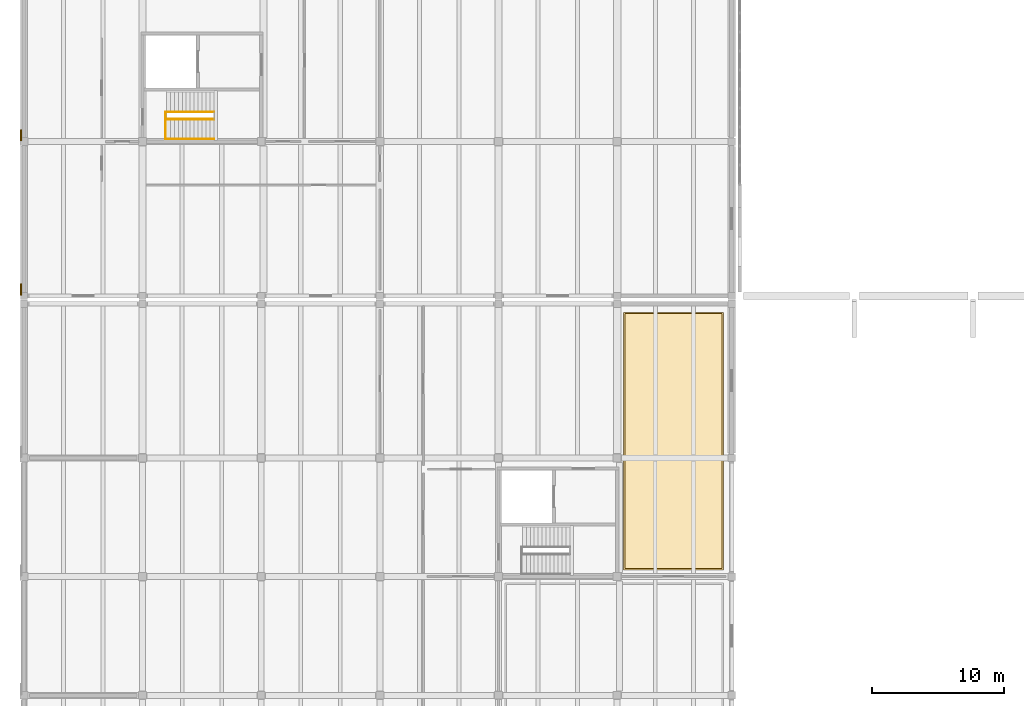
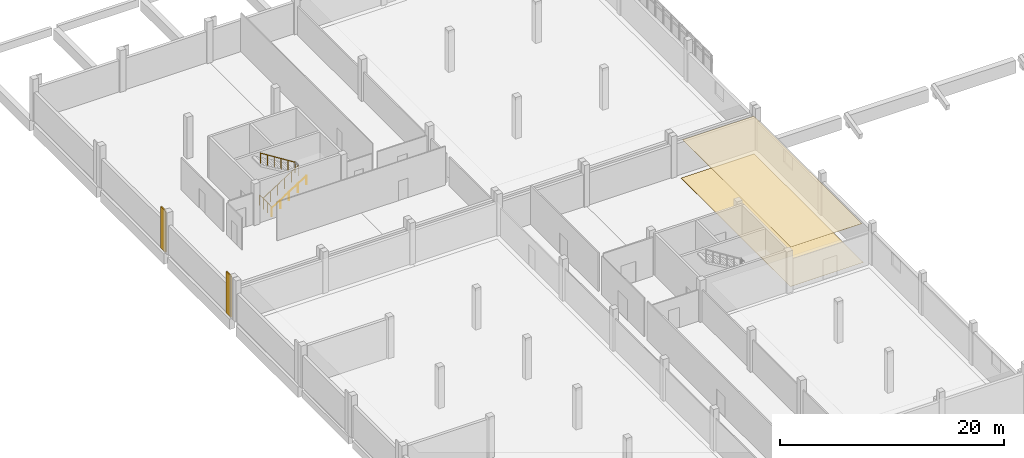
# One storey, part 53 of 63: 4 coverings, 4 railings.
"""IFC4 building model written with IfcOpenShell, lengths in metres."""

import ifcopenshell
import ifcopenshell.guid

model = None  # the IFC model being written
_history = None  # IfcOwnerHistory: only IFC2X3 demands one
_inside = {}  # id of a spatial element -> (the spatial element, [elements in it])
_under = {}  # id of a project, library or spatial element -> (it, [spatial elements below it])
_declared = {}  # id of a project -> (the project, [libraries it declares])
_typed = {}  # id of a type object -> (the type object, [elements of that type])
_made_of = {}  # id of a material, layer set ... -> (it, [elements and type objects made of it])


def new_model(schema):
    """Start an empty IFC model of exactly this schema.

    Asked for "IFC4X3", IfcOpenShell would pick the latest addendum, in which some entities
    have other attributes; the version numbers below select the first issue.
    IFC2X3 requires an IfcOwnerHistory on every rooted entity: one is made here for all.
    """
    global model, _history
    if schema == "IFC4X3":
        model = ifcopenshell.file(schema_version=(4, 3, 0, 0))
    else:
        model = ifcopenshell.file(schema=schema)
    _inside.clear()
    _under.clear()
    _declared.clear()
    _typed.clear()
    _made_of.clear()
    _history = None
    if model.schema == "IFC2X3":
        org = make("IfcOrganization", Name="unknown")
        user = make(
            "IfcPersonAndOrganization",
            ThePerson=make("IfcPerson", FamilyName="unknown"),
            TheOrganization=org,
        )
        app = make(
            "IfcApplication",
            ApplicationDeveloper=org,
            Version="unknown",
            ApplicationFullName="unknown",
            ApplicationIdentifier="unknown",
        )
        _history = make(
            "IfcOwnerHistory",
            OwningUser=user,
            OwningApplication=app,
            ChangeAction="ADDED",
            CreationDate=0,
        )
    return model


def make(cls, **values):
    """One entity of the class cls with the attributes given. An attribute that is None is left unset."""
    return model.create_entity(
        cls, **{name: value for name, value in values.items() if value is not None}
    )


def rooted(cls, **values):
    """An entity with a GlobalId (a new one), such as an element, a storey or a relation."""
    return make(cls, GlobalId=ifcopenshell.guid.new(), OwnerHistory=_history, **values)


def si_unit(unit_type, name, prefix=None):
    """IfcSIUnit, for example si_unit("LENGTHUNIT", "METRE", prefix="MILLI")."""
    return make("IfcSIUnit", UnitType=unit_type, Prefix=prefix, Name=name)


def assignment(units):
    """IfcUnitAssignment: the units of a project."""
    return None if units is None else make("IfcUnitAssignment", Units=units)


def point(xyz):
    """IfcCartesianPoint."""
    return None if xyz is None else make("IfcCartesianPoint", Coordinates=xyz)


def direction(xyz):
    """IfcDirection."""
    return None if xyz is None else make("IfcDirection", DirectionRatios=xyz)


def frame(location, z_axis=None, x_axis=None):
    """IfcAxis2Placement3D, a coordinate frame: its origin and axes. An axis left out is left unset."""
    return make(
        "IfcAxis2Placement3D",
        Location=point(location),
        Axis=direction(z_axis),
        RefDirection=direction(x_axis),
    )


def frame_2d(location, x_axis=None):
    """IfcAxis2Placement2D, a coordinate frame in the plane: its origin and x axis."""
    return make(
        "IfcAxis2Placement2D", Location=point(location), RefDirection=direction(x_axis)
    )


def origin():
    """The frame at (0, 0, 0) with its axes left unset."""
    return frame((0.0, 0.0, 0.0))


def origin_2d():
    """The frame at (0, 0) in the plane with its x axis left unset."""
    return frame_2d((0.0, 0.0))


def place(relative_to, where):
    """IfcLocalPlacement: puts the frame where relative to a parent placement (None: the world)."""
    return make(
        "IfcLocalPlacement", PlacementRelTo=relative_to, RelativePlacement=where
    )


def context(
    kind, dimensions, precision=None, world=None, true_north=None, identifier=None
):
    """IfcGeometricRepresentationContext, for example the 3D "Model" context."""
    return make(
        "IfcGeometricRepresentationContext",
        ContextIdentifier=identifier,
        ContextType=kind,
        CoordinateSpaceDimension=dimensions,
        Precision=precision,
        WorldCoordinateSystem=world,
        TrueNorth=true_north,
    )


def subcontext(parent, identifier, kind, view, scale=None):
    """IfcGeometricRepresentationSubContext, for example "Body" below "Model"."""
    return make(
        "IfcGeometricRepresentationSubContext",
        ContextIdentifier=identifier,
        ContextType=kind,
        ParentContext=parent,
        TargetScale=scale,
        TargetView=view,
    )


def project(units=None, contexts=None):
    """IfcProject with its units and contexts."""
    return rooted(
        "IfcProject",
        Name="project",
        RepresentationContexts=contexts,
        UnitsInContext=assignment(units),
    )


def spatial(cls, under=None, at=None, **own):
    """A site, building, storey or space (cls), placed at a placement, below another one or the project."""
    s = rooted(cls, ObjectPlacement=at, **own)
    if under is not None:
        _under.setdefault(under.id(), (under, []))[1].append(s)
    return s


def polyline(points):
    """IfcPolyline through the points."""
    return make("IfcPolyline", Points=[point(p) for p in points])


def profile(cls, at=None, kind="AREA", **sizes):
    """A parametric profile (cls). Its sizes go by their IFC names, for example OverallWidth=200.0."""
    return make(cls, ProfileType=kind, Position=at, **sizes)


def rectangle(**sizes):
    """IfcRectangleProfileDef."""
    return profile("IfcRectangleProfileDef", **sizes)


def circle(**sizes):
    """IfcCircleProfileDef."""
    return profile("IfcCircleProfileDef", **sizes)


def outline(outer, holes=None, kind="AREA"):
    """IfcArbitraryClosedProfileDef: a profile drawn as a closed curve; with holes, ...WithVoids."""
    if holes is None:
        return make("IfcArbitraryClosedProfileDef", ProfileType=kind, OuterCurve=outer)
    return make(
        "IfcArbitraryProfileDefWithVoids",
        ProfileType=kind,
        OuterCurve=outer,
        InnerCurves=holes,
    )


def extrude(swept, where, along, depth):
    """IfcExtrudedAreaSolid: the profile swept, set in the frame where, extruded along a direction by depth."""
    return make(
        "IfcExtrudedAreaSolid",
        SweptArea=swept,
        Position=where,
        ExtrudedDirection=direction(along),
        Depth=depth,
    )


def shape(context_of_items, identifier, shape_type, items):
    """IfcShapeRepresentation: the items that make up one representation, for example the "Body"."""
    return make(
        "IfcShapeRepresentation",
        ContextOfItems=context_of_items,
        RepresentationIdentifier=identifier,
        RepresentationType=shape_type,
        Items=items,
    )


def material(Name=None, Category=None):
    """IfcMaterial."""
    return make("IfcMaterial", Name=Name, Category=Category)


def layer(
    of_material, thickness, ventilated=None, Name=None, Category=None, Priority=None
):
    """IfcMaterialLayer: one layer of a wall or slab, of a material (None: an air gap)."""
    return make(
        "IfcMaterialLayer",
        Material=of_material,
        LayerThickness=thickness,
        IsVentilated=ventilated,
        Name=Name,
        Category=Category,
        Priority=Priority,
    )


def layer_set(layers, Name=None):
    """IfcMaterialLayerSet."""
    return make("IfcMaterialLayerSet", MaterialLayers=layers, LayerSetName=Name)


def made_of(thing, what):
    """Note that an element or type object is made of a material, layer set ...; save() writes the relation."""
    if what is not None:
        _made_of.setdefault(what.id(), (what, []))[1].append(thing)
    return thing


def type_object(cls, material=None, **own):
    """A type object (cls), such as IfcWallType, which elements share."""
    return made_of(rooted(cls, **own), material)


def element(
    cls,
    number,
    at=None,
    inside=None,
    cuts=None,
    type_object=None,
    material=None,
    context=None,
    identifier="Body",
    shape_type=None,
    held_by="IfcProductDefinitionShape",
    body=None,
    shapes=None,
    **own,
):
    """One element of the class cls, such as IfcWall. Its Tag is "e" and its number.

    at: its placement. inside: the storey or other place that contains it. cuts: it is an
    opening in that element (IfcRelVoidsElement). A single representation is given by context,
    identifier, shape_type and body (its items); several are given by shapes. held_by: the class
    of the entity that holds the representations. save() writes the other relations.
    """
    e = rooted(cls, Tag="e%d" % number, ObjectPlacement=at, **own)
    if body is not None:
        shapes = [shape(context, identifier, shape_type, body)]
    if shapes is not None:
        e.Representation = make(held_by, Representations=shapes)
    if inside is not None:
        _inside.setdefault(inside.id(), (inside, []))[1].append(e)
    if cuts is not None:
        rooted(
            "IfcRelVoidsElement", RelatingBuildingElement=cuts, RelatedOpeningElement=e
        )
    if type_object is not None:
        _typed.setdefault(type_object.id(), (type_object, []))[1].append(e)
    return made_of(e, material)


def aggregate(whole, parts):
    """IfcRelAggregates: a whole, such as a stair, and the parts it consists of."""
    return rooted("IfcRelAggregates", RelatingObject=whole, RelatedObjects=parts)


def save(model, path):
    """Write the relations noted so far, then the file.

    IfcRelAggregates (storeys below a building ...), IfcRelContainedInSpatialStructure (elements
    in a storey), IfcRelDefinesByType, IfcRelAssociatesMaterial and IfcRelDeclares: one each for
    every whole, place, type object, material and project.
    """
    for whole, parts in _under.values():
        aggregate(whole, parts)
    for where, things in _inside.values():
        rooted(
            "IfcRelContainedInSpatialStructure",
            RelatedElements=things,
            RelatingStructure=where,
        )
    for kind, things in _typed.values():
        rooted("IfcRelDefinesByType", RelatedObjects=things, RelatingType=kind)
    for what, things in _made_of.values():
        rooted("IfcRelAssociatesMaterial", RelatedObjects=things, RelatingMaterial=what)
    for by, libraries in _declared.values():
        rooted("IfcRelDeclares", RelatingContext=by, RelatedDefinitions=libraries)
    model.write(path)


model = new_model("IFC4")

# Units and contexts
model_context = context("Model", 3, precision=1e-05, world=origin(), true_north=direction((0.0, 1.0)))
body_context = subcontext(model_context, "Body", "Model", "MODEL_VIEW")
ifc_project = project(units=[si_unit("LENGTHUNIT", "METRE"), si_unit("AREAUNIT", "SQUARE_METRE"), si_unit("VOLUMEUNIT", "CUBIC_METRE"), si_unit("PLANEANGLEUNIT", "RADIAN"), si_unit("MASSUNIT", "GRAM", prefix="KILO")], contexts=[model_context])

# Site, building, storey
site_placement = place(None, origin())
site = spatial("IfcSite", under=ifc_project, at=site_placement, CompositionType="ELEMENT")
building_placement = place(site_placement, origin())
building = spatial("IfcBuilding", under=site, at=building_placement, Name="Zacnel Wholesale Market", CompositionType="ELEMENT")
storey_placement = place(building_placement, frame((0.0, 0.0, 11.199951171875)))
storey = spatial("IfcBuildingStorey", under=building, at=storey_placement, Name="L03", CompositionType="ELEMENT", Elevation=11.199951171875)

# Coverings
ifc_material_1 = material(Name="Micro-perforated acoustic gypsum ceiling")
ifc_layer_1 = layer(ifc_material_1, 0.02001953125)
ifc_layer_set_1 = layer_set([ifc_layer_1], Name="Micro-perforated acoustic gypsum ceiling")
covering_type_1 = type_object("IfcCoveringType", Name="COV-CEIL-AC-20", PredefinedType="CEILING", material=ifc_layer_set_1)
covering_1_placement = place(storey_placement, frame((0.0, 0.0, 4.2099609375)))
element("IfcCovering", 1, at=covering_1_placement, inside=storey, type_object=covering_type_1, Name="Acoustic ceiling L03-307", PredefinedType="CEILING", context=body_context, shape_type="SweptSolid", body=[
    extrude(outline(polyline([(63.60009765625, 75.60009765625), (70.949951171875, 75.60009765625), (70.949951171875, 94.949951171875), (63.60009765625, 94.949951171875), (63.60009765625, 75.60009765625)])), origin(), (0.0, 0.0, 1.0), 0.02001953125),
])
ifc_material_2 = material(Name="Honed Yucatan Maya cream limestone", Category="masonry")
ifc_layer_2 = layer(ifc_material_2, 0.090087890625)
ifc_layer_set_2 = layer_set([ifc_layer_2], Name="Honed Yucatan Maya cream limestone")
covering_type_2 = type_object("IfcCoveringType", Name="COV-CLAD-FRET", PredefinedType="CLADDING", material=ifc_layer_set_2)
for number, where, z_axis, x_axis, name in (
    (2, (17.7900390625, 96.780029296875, 0.02001953125), (0.0, 0.0, 1.0), (0.0, 1.0, 0.0), "Fluted Mayan-Deco limestone pilaster L03-0182"),
    (3, (17.7900390625, 108.47998046875, 0.02001953125), (0.0, 0.0, 1.0), (0.0, 1.0, 0.0), "Fluted Mayan-Deco limestone pilaster L03-0183"),
):
    element("IfcCovering", number, at=place(storey_placement, frame(where, z_axis=z_axis, x_axis=x_axis)), inside=storey, type_object=covering_type_2, Name=name, PredefinedType="CLADDING", context=body_context, shape_type="SweptSolid", body=[
        extrude(rectangle(XDim=0.85009765625, YDim=0.1201171875, at=origin_2d()), origin(), (0.0, 0.0, 1.0), 4.510009765625),
    ])
ifc_material_3 = material(Name="Food-grade epoxy resin flooring")
ifc_layer_3 = layer(ifc_material_3, 0.011962890625)
ifc_layer_set_3 = layer_set([ifc_layer_3], Name="Food-grade epoxy resin flooring")
covering_type_3 = type_object("IfcCoveringType", Name="COV-FLR-EPOXY-12", PredefinedType="FLOORING", material=ifc_layer_set_3)
covering_2_placement = place(storey_placement, origin())
element("IfcCovering", 4, at=covering_2_placement, inside=storey, type_object=covering_type_3, Name="Hygienic epoxy floor finish L03-307", PredefinedType="FLOORING", context=body_context, shape_type="SweptSolid", body=[
    extrude(outline(polyline([(63.5, 75.5), (71.050048828125, 75.5), (71.050048828125, 95.050048828125), (63.5, 95.050048828125), (63.5, 75.5)])), origin(), (0.0, 0.0, 1.0), 0.011962890625),
])

# Railings
ifc_material_4 = material(Name="Galvanized steel", Category="steel")
railing_type_1 = type_object("IfcRailingType", Name="RAL-HANDRAIL-920", PredefinedType="HANDRAIL", material=ifc_material_4)
railing_1_placement = place(storey_placement, frame((28.81005859375, 108.2099609375, 0.0)))
element("IfcRailing", 5, at=railing_1_placement, inside=storey, type_object=railing_type_1, Name="Stair ST-30 wall handrail", PredefinedType="HANDRAIL", context=body_context, shape_type="SweptSolid", body=[
    extrude(circle(Radius=0.02099609375, at=origin_2d()), frame((0.0, 0.0, 0.89892578125), z_axis=(0.845324026139, 0.0, 0.534253957246), x_axis=(0.0, 1.0, 0.0)), (0.0, 0.0, 1.0), 4.258544921875),
    extrude(circle(Radius=0.01806640625, at=origin_2d()), origin(), (0.0, 0.0, 1.0), 0.8779296875),
    extrude(circle(Radius=0.01806640625, at=origin_2d()), frame((0.89990234375, 0.0, 0.56884765625)), (0.0, 0.0, 1.0), 0.8779296875),
    extrude(circle(Radius=0.01806640625, at=origin_2d()), frame((1.7998046875, 0.0, 1.1376953125)), (0.0, 0.0, 1.0), 0.8779296875),
    extrude(circle(Radius=0.01806640625, at=origin_2d()), frame((2.699951171875, 0.0, 1.706298828125)), (0.0, 0.0, 1.0), 0.8779296875),
    extrude(circle(Radius=0.01806640625, at=origin_2d()), frame((3.599853515625, 0.0, 2.275146484375)), (0.0, 0.0, 1.0), 0.8779296875),
])
ifc_material_5 = material(Name="Galvanized steel", Category="steel")
railing_type_2 = type_object("IfcRailingType", Name="RAL-STAIR-GD1150", PredefinedType="BALUSTRADE", material=ifc_material_5)
railing_2_placement = place(storey_placement, frame((28.75, 108.18994140625, 0.0)))
element("IfcRailing", 6, at=railing_2_placement, inside=storey, type_object=railing_type_2, Name="Stair balustrade INT-STAIR-ST-13-GDWELL-1", PredefinedType="BALUSTRADE", context=body_context, shape_type="SweptSolid", body=[
    extrude(circle(Radius=0.02392578125, at=origin_2d()), frame((0.0, 0.0, 1.1259765625), z_axis=(0.0, 1.0, 0.0), x_axis=(-1.0, 0.0, 0.0)), (0.0, 0.0, 1.0), 2.06005859375),
    extrude(circle(Radius=0.02099609375, at=origin_2d()), origin(), (0.0, 0.0, 1.0), 1.101806640625),
    extrude(circle(Radius=0.02099609375, at=origin_2d()), frame((0.0, 0.686767578125, 0.0)), (0.0, 0.0, 1.0), 1.101806640625),
    extrude(circle(Radius=0.02099609375, at=origin_2d()), frame((0.0, 1.373291015625, 0.0)), (0.0, 0.0, 1.0), 1.101806640625),
    extrude(circle(Radius=0.02099609375, at=origin_2d()), frame((0.0, 2.06005859375, 0.0)), (0.0, 0.0, 1.0), 1.101806640625),
])
railing_3_placement = place(storey_placement, frame((28.81005859375, 109.699951171875, 0.0)))
element("IfcRailing", 7, at=railing_3_placement, inside=storey, type_object=railing_type_2, Name="Stair balustrade INT-STAIR-ST-30-GDIN-1", PredefinedType="BALUSTRADE", context=body_context, shape_type="SweptSolid", body=[
    extrude(circle(Radius=0.02392578125, at=origin_2d()), frame((0.0, 0.0, 1.1259765625), z_axis=(0.845324026139, 0.0, 0.534253957246), x_axis=(0.0, 1.0, 0.0)), (0.0, 0.0, 1.0), 4.258544921875),
    extrude(circle(Radius=0.02099609375, at=origin_2d()), origin(), (0.0, 0.0, 1.0), 1.101806640625),
    extrude(circle(Radius=0.02099609375, at=origin_2d()), frame((0.719970703125, 0.0, 0.455078125)), (0.0, 0.0, 1.0), 1.101806640625),
    extrude(circle(Radius=0.02099609375, at=origin_2d()), frame((1.43994140625, 0.0, 0.91015625)), (0.0, 0.0, 1.0), 1.101806640625),
    extrude(circle(Radius=0.02099609375, at=origin_2d()), frame((2.159912109375, 0.0, 1.364990234375)), (0.0, 0.0, 1.0), 1.101806640625),
    extrude(circle(Radius=0.02099609375, at=origin_2d()), frame((2.8798828125, 0.0, 1.820068359375)), (0.0, 0.0, 1.0), 1.101806640625),
    extrude(circle(Radius=0.02099609375, at=origin_2d()), frame((3.599853515625, 0.0, 2.275146484375)), (0.0, 0.0, 1.0), 1.101806640625),
])
railing_4_placement = place(storey_placement, frame((32.409912109375, 110.25, 2.275146484375)))
element("IfcRailing", 8, at=railing_4_placement, inside=storey, type_object=railing_type_2, Name="Stair balustrade INT-STAIR-ST-30-GDIN-3", PredefinedType="BALUSTRADE", context=body_context, shape_type="SweptSolid", body=[
    extrude(circle(Radius=0.02392578125, at=origin_2d()), frame((0.0, 0.0, 1.1259765625), z_axis=(-0.845349916973, 0.0, 0.534212989241), x_axis=(0.0, -1.0, 0.0)), (0.0, 0.0, 1.0), 4.25830078125),
    extrude(circle(Radius=0.02099609375, at=origin_2d()), origin(), (0.0, 0.0, 1.0), 1.101806640625),
    extrude(circle(Radius=0.02099609375, at=origin_2d()), frame((-0.719970703125, 0.0, 0.455078125)), (0.0, 0.0, 1.0), 1.101806640625),
    extrude(circle(Radius=0.02099609375, at=origin_2d()), frame((-1.43994140625, 0.0, 0.909912109375)), (0.0, 0.0, 1.0), 1.101806640625),
    extrude(circle(Radius=0.02099609375, at=origin_2d()), frame((-2.159912109375, 0.0, 1.364990234375)), (0.0, 0.0, 1.0), 1.101806640625),
    extrude(circle(Radius=0.02099609375, at=origin_2d()), frame((-2.8798828125, 0.0, 1.81982421875)), (0.0, 0.0, 1.0), 1.101806640625),
    extrude(circle(Radius=0.02099609375, at=origin_2d()), frame((-3.599853515625, 0.0, 2.27490234375)), (0.0, 0.0, 1.0), 1.101806640625),
])

save(model, "model.ifc")
